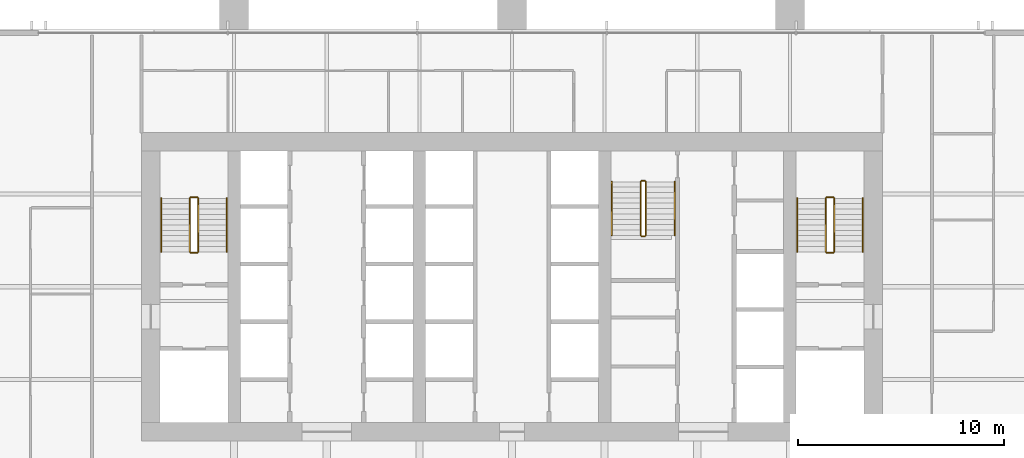
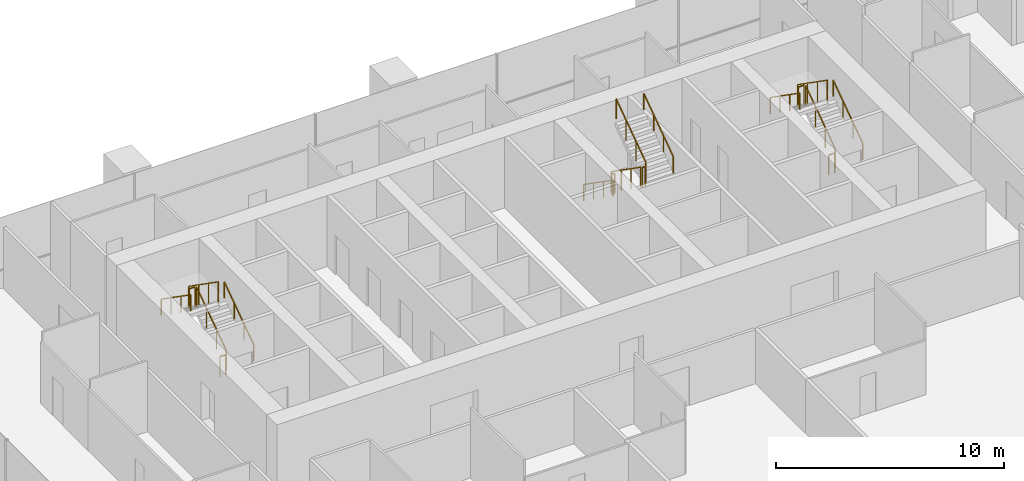
# One storey, part 15 of 15: 18 railings.
"""IFC4 building model written with IfcOpenShell, lengths in metres."""

from ifc_helpers import new_model, si_unit, direction, frame, origin, origin_2d, place, context, subcontext, project, spatial, rectangle, extrude, material, type_object, element, save


model = new_model("IFC4")

# Units and contexts
model_context = context("Model", 3, precision=1e-05, world=origin(), true_north=direction((0.0, 1.0)))
body_context = subcontext(model_context, "Body", "Model", "MODEL_VIEW")
ifc_project = project(units=[si_unit("LENGTHUNIT", "METRE"), si_unit("AREAUNIT", "SQUARE_METRE"), si_unit("VOLUMEUNIT", "CUBIC_METRE"), si_unit("PLANEANGLEUNIT", "RADIAN"), si_unit("MASSUNIT", "GRAM", prefix="KILO")], contexts=[model_context])

# Site, building, storey
site_placement = place(None, origin())
site = spatial("IfcSite", under=ifc_project, at=site_placement, CompositionType="ELEMENT")
building_placement = place(site_placement, origin())
building = spatial("IfcBuilding", under=site, at=building_placement, Name="Rattan Terrace Tower", CompositionType="ELEMENT")
storey_placement = place(building_placement, frame((0.0, 0.0, 142.10009765625)))
storey = spatial("IfcBuildingStorey", under=building, at=storey_placement, Name="L32", CompositionType="ELEMENT", Elevation=142.10009765625)

# Railings
ifc_material_1 = material(Name="Powder-coated steel guard", Category="steel")
railing_type_1 = type_object("IfcRailingType", Name="Core stair guard", PredefinedType="GUARDRAIL", material=ifc_material_1)
railing_1_placement = place(storey_placement, frame((-15.25, 1.699951171875, 0.181640625)))
element("IfcRailing", 1, at=railing_1_placement, inside=storey, type_object=railing_type_1, Name="L32 S1 stair guard 1", PredefinedType="GUARDRAIL", context=body_context, shape_type="SweptSolid", body=[
    extrude(rectangle(XDim=0.048095703125, YDim=0.048095703125, at=origin_2d()), frame((0.0, 0.0, 1.076171875), z_axis=(0.0, 0.819484887739, 0.573100792852), x_axis=(-1.0, 0.0, 0.0)), (0.0, 0.0, 1.0), 3.1728515625),
    extrude(rectangle(XDim=0.0419921875, YDim=0.0419921875, at=origin_2d()), origin(), (0.0, 0.0, 1.0), 1.052001953125),
    extrude(rectangle(XDim=0.0419921875, YDim=0.0419921875, at=origin_2d()), frame((0.0, 0.86669921875, 0.606201171875)), (0.0, 0.0, 1.0), 1.052001953125),
    extrude(rectangle(XDim=0.0419921875, YDim=0.0419921875, at=origin_2d()), frame((0.0, 1.7333984375, 1.212158203125)), (0.0, 0.0, 1.0), 1.052001953125),
    extrude(rectangle(XDim=0.0419921875, YDim=0.0419921875, at=origin_2d()), frame((0.0, 2.60009765625, 1.818359375)), (0.0, 0.0, 1.0), 1.052001953125),
])
railing_2_placement = place(storey_placement, frame((-15.300048828125, 4.35009765625, 2.0)))
element("IfcRailing", 2, at=railing_2_placement, inside=storey, type_object=railing_type_1, Name="L32 S1 stair guard 2", PredefinedType="GUARDRAIL", context=body_context, shape_type="SweptSolid", body=[
    extrude(rectangle(XDim=0.048095703125, YDim=0.048095703125, at=origin_2d()), frame((0.0, 0.0, 1.076171875), z_axis=(-1.0, 0.0, 0.0), x_axis=(0.0, -1.0, 0.0)), (0.0, 0.0, 1.0), 0.300048828125),
    extrude(rectangle(XDim=0.0419921875, YDim=0.0419921875, at=origin_2d()), origin(), (0.0, 0.0, 1.0), 1.052001953125),
    extrude(rectangle(XDim=0.0419921875, YDim=0.0419921875, at=origin_2d()), frame((-0.300048828125, 0.0, 0.0)), (0.0, 0.0, 1.0), 1.052001953125),
])
railing_3_placement = place(storey_placement, frame((-15.64990234375, 4.300048828125, 2.181640625)))
element("IfcRailing", 3, at=railing_3_placement, inside=storey, type_object=railing_type_1, Name="L32 S1 stair guard 3", PredefinedType="GUARDRAIL", context=body_context, shape_type="SweptSolid", body=[
    extrude(rectangle(XDim=0.048095703125, YDim=0.048095703125, at=origin_2d()), frame((0.0, 0.0, 1.076171875), z_axis=(0.0, -0.819484887739, 0.573100792852), x_axis=(1.0, 0.0, 0.0)), (0.0, 0.0, 1.0), 3.1728515625),
    extrude(rectangle(XDim=0.0419921875, YDim=0.0419921875, at=origin_2d()), origin(), (0.0, 0.0, 1.0), 1.052001953125),
    extrude(rectangle(XDim=0.0419921875, YDim=0.0419921875, at=origin_2d()), frame((0.0, -0.86669921875, 0.606201171875)), (0.0, 0.0, 1.0), 1.052001953125),
    extrude(rectangle(XDim=0.0419921875, YDim=0.0419921875, at=origin_2d()), frame((0.0, -1.7333984375, 1.212158203125)), (0.0, 0.0, 1.0), 1.052001953125),
    extrude(rectangle(XDim=0.0419921875, YDim=0.0419921875, at=origin_2d()), frame((0.0, -2.60009765625, 1.818359375)), (0.0, 0.0, 1.0), 1.052001953125),
])
railing_4_placement = place(storey_placement, frame((-15.300048828125, 1.64990234375, 0.0)))
element("IfcRailing", 4, at=railing_4_placement, inside=storey, type_object=railing_type_1, Name="L32 S1 stair guard 4", PredefinedType="GUARDRAIL", context=body_context, shape_type="SweptSolid", body=[
    extrude(rectangle(XDim=0.048095703125, YDim=0.048095703125, at=origin_2d()), frame((0.0, 0.0, 1.076171875), z_axis=(-1.0, 0.0, 0.0), x_axis=(0.0, -1.0, 0.0)), (0.0, 0.0, 1.0), 0.300048828125),
    extrude(rectangle(XDim=0.0419921875, YDim=0.0419921875, at=origin_2d()), origin(), (0.0, 0.0, 1.0), 1.052001953125),
    extrude(rectangle(XDim=0.0419921875, YDim=0.0419921875, at=origin_2d()), frame((-0.300048828125, 0.0, 0.0)), (0.0, 0.0, 1.0), 1.052001953125),
])
railing_5_placement = place(storey_placement, frame((15.64990234375, 1.699951171875, 0.181640625)))
element("IfcRailing", 5, at=railing_5_placement, inside=storey, type_object=railing_type_1, Name="L32 S2 stair guard 1", PredefinedType="GUARDRAIL", context=body_context, shape_type="SweptSolid", body=[
    extrude(rectangle(XDim=0.048095703125, YDim=0.048095703125, at=origin_2d()), frame((0.0, 0.0, 1.076171875), z_axis=(0.0, 0.819484887739, 0.573100792852), x_axis=(-1.0, 0.0, 0.0)), (0.0, 0.0, 1.0), 3.1728515625),
    extrude(rectangle(XDim=0.0419921875, YDim=0.0419921875, at=origin_2d()), origin(), (0.0, 0.0, 1.0), 1.052001953125),
    extrude(rectangle(XDim=0.0419921875, YDim=0.0419921875, at=origin_2d()), frame((0.0, 0.86669921875, 0.606201171875)), (0.0, 0.0, 1.0), 1.052001953125),
    extrude(rectangle(XDim=0.0419921875, YDim=0.0419921875, at=origin_2d()), frame((0.0, 1.7333984375, 1.212158203125)), (0.0, 0.0, 1.0), 1.052001953125),
    extrude(rectangle(XDim=0.0419921875, YDim=0.0419921875, at=origin_2d()), frame((0.0, 2.60009765625, 1.818359375)), (0.0, 0.0, 1.0), 1.052001953125),
])
railing_6_placement = place(storey_placement, frame((15.60009765625, 4.35009765625, 2.0)))
element("IfcRailing", 6, at=railing_6_placement, inside=storey, type_object=railing_type_1, Name="L32 S2 stair guard 2", PredefinedType="GUARDRAIL", context=body_context, shape_type="SweptSolid", body=[
    extrude(rectangle(XDim=0.048095703125, YDim=0.048095703125, at=origin_2d()), frame((0.0, 0.0, 1.076171875), z_axis=(-1.0, 0.0, 0.0), x_axis=(0.0, -1.0, 0.0)), (0.0, 0.0, 1.0), 0.300048828125),
    extrude(rectangle(XDim=0.0419921875, YDim=0.0419921875, at=origin_2d()), origin(), (0.0, 0.0, 1.0), 1.052001953125),
    extrude(rectangle(XDim=0.0419921875, YDim=0.0419921875, at=origin_2d()), frame((-0.300048828125, 0.0, 0.0)), (0.0, 0.0, 1.0), 1.052001953125),
])
railing_7_placement = place(storey_placement, frame((15.25, 4.300048828125, 2.181640625)))
element("IfcRailing", 7, at=railing_7_placement, inside=storey, type_object=railing_type_1, Name="L32 S2 stair guard 3", PredefinedType="GUARDRAIL", context=body_context, shape_type="SweptSolid", body=[
    extrude(rectangle(XDim=0.048095703125, YDim=0.048095703125, at=origin_2d()), frame((0.0, 0.0, 1.076171875), z_axis=(0.0, -0.819484887739, 0.573100792852), x_axis=(1.0, 0.0, 0.0)), (0.0, 0.0, 1.0), 3.1728515625),
    extrude(rectangle(XDim=0.0419921875, YDim=0.0419921875, at=origin_2d()), origin(), (0.0, 0.0, 1.0), 1.052001953125),
    extrude(rectangle(XDim=0.0419921875, YDim=0.0419921875, at=origin_2d()), frame((0.0, -0.86669921875, 0.606201171875)), (0.0, 0.0, 1.0), 1.052001953125),
    extrude(rectangle(XDim=0.0419921875, YDim=0.0419921875, at=origin_2d()), frame((0.0, -1.7333984375, 1.212158203125)), (0.0, 0.0, 1.0), 1.052001953125),
    extrude(rectangle(XDim=0.0419921875, YDim=0.0419921875, at=origin_2d()), frame((0.0, -2.60009765625, 1.818359375)), (0.0, 0.0, 1.0), 1.052001953125),
])
railing_8_placement = place(storey_placement, frame((15.60009765625, 1.64990234375, 0.0)))
element("IfcRailing", 8, at=railing_8_placement, inside=storey, type_object=railing_type_1, Name="L32 S2 stair guard 4", PredefinedType="GUARDRAIL", context=body_context, shape_type="SweptSolid", body=[
    extrude(rectangle(XDim=0.048095703125, YDim=0.048095703125, at=origin_2d()), frame((0.0, 0.0, 1.076171875), z_axis=(-1.0, 0.0, 0.0), x_axis=(0.0, -1.0, 0.0)), (0.0, 0.0, 1.0), 0.300048828125),
    extrude(rectangle(XDim=0.0419921875, YDim=0.0419921875, at=origin_2d()), origin(), (0.0, 0.0, 1.0), 1.052001953125),
    extrude(rectangle(XDim=0.0419921875, YDim=0.0419921875, at=origin_2d()), frame((-0.300048828125, 0.0, 0.0)), (0.0, 0.0, 1.0), 1.052001953125),
])
railing_9_placement = place(storey_placement, frame((6.25, 5.10009765625, 0.181640625)))
element("IfcRailing", 9, at=railing_9_placement, inside=storey, type_object=railing_type_1, Name="L32 S3 stair guard 1", PredefinedType="GUARDRAIL", context=body_context, shape_type="SweptSolid", body=[
    extrude(rectangle(XDim=0.048095703125, YDim=0.048095703125, at=origin_2d()), frame((0.0, 0.0, 1.076171875), z_axis=(0.0, -0.819484887739, 0.573100792852), x_axis=(1.0, 0.0, 0.0)), (0.0, 0.0, 1.0), 3.1728515625),
    extrude(rectangle(XDim=0.0419921875, YDim=0.0419921875, at=origin_2d()), origin(), (0.0, 0.0, 1.0), 1.052001953125),
    extrude(rectangle(XDim=0.0419921875, YDim=0.0419921875, at=origin_2d()), frame((0.0, -0.86669921875, 0.606201171875)), (0.0, 0.0, 1.0), 1.052001953125),
    extrude(rectangle(XDim=0.0419921875, YDim=0.0419921875, at=origin_2d()), frame((0.0, -1.7333984375, 1.212158203125)), (0.0, 0.0, 1.0), 1.052001953125),
    extrude(rectangle(XDim=0.0419921875, YDim=0.0419921875, at=origin_2d()), frame((0.0, -2.60009765625, 1.818359375)), (0.0, 0.0, 1.0), 1.052001953125),
])
railing_10_placement = place(storey_placement, frame((6.300048828125, 2.449951171875, 2.0)))
element("IfcRailing", 10, at=railing_10_placement, inside=storey, type_object=railing_type_1, Name="L32 S3 stair guard 2", PredefinedType="GUARDRAIL", context=body_context, shape_type="SweptSolid", body=[
    extrude(rectangle(XDim=0.048095703125, YDim=0.048095703125, at=origin_2d()), frame((0.0, 0.0, 1.076171875), z_axis=(1.0, 0.0, 0.0), x_axis=(0.0, 1.0, 0.0)), (0.0, 0.0, 1.0), 0.14990234375),
    extrude(rectangle(XDim=0.0419921875, YDim=0.0419921875, at=origin_2d()), origin(), (0.0, 0.0, 1.0), 1.052001953125),
    extrude(rectangle(XDim=0.0419921875, YDim=0.0419921875, at=origin_2d()), frame((0.14990234375, 0.0, 0.0)), (0.0, 0.0, 1.0), 1.052001953125),
])
railing_11_placement = place(storey_placement, frame((6.5, 2.5, 2.181640625)))
element("IfcRailing", 11, at=railing_11_placement, inside=storey, type_object=railing_type_1, Name="L32 S3 stair guard 3", PredefinedType="GUARDRAIL", context=body_context, shape_type="SweptSolid", body=[
    extrude(rectangle(XDim=0.048095703125, YDim=0.048095703125, at=origin_2d()), frame((0.0, 0.0, 1.076171875), z_axis=(0.0, 0.819484887739, 0.573100792852), x_axis=(-1.0, 0.0, 0.0)), (0.0, 0.0, 1.0), 3.1728515625),
    extrude(rectangle(XDim=0.0419921875, YDim=0.0419921875, at=origin_2d()), origin(), (0.0, 0.0, 1.0), 1.052001953125),
    extrude(rectangle(XDim=0.0419921875, YDim=0.0419921875, at=origin_2d()), frame((0.0, 0.86669921875, 0.606201171875)), (0.0, 0.0, 1.0), 1.052001953125),
    extrude(rectangle(XDim=0.0419921875, YDim=0.0419921875, at=origin_2d()), frame((0.0, 1.7333984375, 1.212158203125)), (0.0, 0.0, 1.0), 1.052001953125),
    extrude(rectangle(XDim=0.0419921875, YDim=0.0419921875, at=origin_2d()), frame((0.0, 2.60009765625, 1.818359375)), (0.0, 0.0, 1.0), 1.052001953125),
])
railing_12_placement = place(storey_placement, frame((6.300048828125, 5.14990234375, 0.0)))
element("IfcRailing", 12, at=railing_12_placement, inside=storey, type_object=railing_type_1, Name="L32 S3 stair guard 4", PredefinedType="GUARDRAIL", context=body_context, shape_type="SweptSolid", body=[
    extrude(rectangle(XDim=0.048095703125, YDim=0.048095703125, at=origin_2d()), frame((0.0, 0.0, 1.076171875), z_axis=(1.0, 0.0, 0.0), x_axis=(0.0, 1.0, 0.0)), (0.0, 0.0, 1.0), 0.14990234375),
    extrude(rectangle(XDim=0.0419921875, YDim=0.0419921875, at=origin_2d()), origin(), (0.0, 0.0, 1.0), 1.052001953125),
    extrude(rectangle(XDim=0.0419921875, YDim=0.0419921875, at=origin_2d()), frame((0.14990234375, 0.0, 0.0)), (0.0, 0.0, 1.0), 1.052001953125),
])
ifc_material_2 = material(Name="Powder-coated steel handrail", Category="steel")
railing_type_2 = type_object("IfcRailingType", Name="Core stair handrail", PredefinedType="HANDRAIL", material=ifc_material_2)
railing_13_placement = place(storey_placement, frame((-13.85009765625, 1.699951171875, 0.181640625)))
element("IfcRailing", 13, at=railing_13_placement, inside=storey, type_object=railing_type_2, Name="L32 S1 stair handrail 1", PredefinedType="HANDRAIL", context=body_context, shape_type="SweptSolid", body=[
    extrude(rectangle(XDim=0.048095703125, YDim=0.048095703125, at=origin_2d()), frame((0.0, 0.0, 0.8759765625), z_axis=(0.0, 0.819484887739, 0.573100792852), x_axis=(-1.0, 0.0, 0.0)), (0.0, 0.0, 1.0), 3.1728515625),
    extrude(rectangle(XDim=0.0419921875, YDim=0.0419921875, at=origin_2d()), origin(), (0.0, 0.0, 1.0), 0.851806640625),
    extrude(rectangle(XDim=0.0419921875, YDim=0.0419921875, at=origin_2d()), frame((0.0, 0.86669921875, 0.606201171875)), (0.0, 0.0, 1.0), 0.851806640625),
    extrude(rectangle(XDim=0.0419921875, YDim=0.0419921875, at=origin_2d()), frame((0.0, 1.7333984375, 1.212158203125)), (0.0, 0.0, 1.0), 0.851806640625),
    extrude(rectangle(XDim=0.0419921875, YDim=0.0419921875, at=origin_2d()), frame((0.0, 2.60009765625, 1.818359375)), (0.0, 0.0, 1.0), 0.851806640625),
])
railing_14_placement = place(storey_placement, frame((-17.050048828125, 4.300048828125, 2.181640625)))
element("IfcRailing", 14, at=railing_14_placement, inside=storey, type_object=railing_type_2, Name="L32 S1 stair handrail 2", PredefinedType="HANDRAIL", context=body_context, shape_type="SweptSolid", body=[
    extrude(rectangle(XDim=0.048095703125, YDim=0.048095703125, at=origin_2d()), frame((0.0, 0.0, 0.8759765625), z_axis=(0.0, -0.819484887739, 0.573100792852), x_axis=(1.0, 0.0, 0.0)), (0.0, 0.0, 1.0), 3.1728515625),
    extrude(rectangle(XDim=0.0419921875, YDim=0.0419921875, at=origin_2d()), origin(), (0.0, 0.0, 1.0), 0.851806640625),
    extrude(rectangle(XDim=0.0419921875, YDim=0.0419921875, at=origin_2d()), frame((0.0, -0.86669921875, 0.606201171875)), (0.0, 0.0, 1.0), 0.851806640625),
    extrude(rectangle(XDim=0.0419921875, YDim=0.0419921875, at=origin_2d()), frame((0.0, -1.7333984375, 1.212158203125)), (0.0, 0.0, 1.0), 0.851806640625),
    extrude(rectangle(XDim=0.0419921875, YDim=0.0419921875, at=origin_2d()), frame((0.0, -2.60009765625, 1.818359375)), (0.0, 0.0, 1.0), 0.851806640625),
])
railing_15_placement = place(storey_placement, frame((17.050048828125, 1.699951171875, 0.181640625)))
element("IfcRailing", 15, at=railing_15_placement, inside=storey, type_object=railing_type_2, Name="L32 S2 stair handrail 1", PredefinedType="HANDRAIL", context=body_context, shape_type="SweptSolid", body=[
    extrude(rectangle(XDim=0.048095703125, YDim=0.048095703125, at=origin_2d()), frame((0.0, 0.0, 0.8759765625), z_axis=(0.0, 0.819484887739, 0.573100792852), x_axis=(-1.0, 0.0, 0.0)), (0.0, 0.0, 1.0), 3.1728515625),
    extrude(rectangle(XDim=0.0419921875, YDim=0.0419921875, at=origin_2d()), origin(), (0.0, 0.0, 1.0), 0.851806640625),
    extrude(rectangle(XDim=0.0419921875, YDim=0.0419921875, at=origin_2d()), frame((0.0, 0.86669921875, 0.606201171875)), (0.0, 0.0, 1.0), 0.851806640625),
    extrude(rectangle(XDim=0.0419921875, YDim=0.0419921875, at=origin_2d()), frame((0.0, 1.7333984375, 1.212158203125)), (0.0, 0.0, 1.0), 0.851806640625),
    extrude(rectangle(XDim=0.0419921875, YDim=0.0419921875, at=origin_2d()), frame((0.0, 2.60009765625, 1.818359375)), (0.0, 0.0, 1.0), 0.851806640625),
])
for number, where, name in (
    (16, (13.85009765625, 4.300048828125, 2.181640625), "L32 S2 stair handrail 2"),
    (17, (4.85009765625, 5.10009765625, 0.181640625), "L32 S3 stair handrail 1"),
):
    element("IfcRailing", number, at=place(storey_placement, frame(where)), inside=storey, type_object=railing_type_2, Name=name, PredefinedType="HANDRAIL", context=body_context, shape_type="SweptSolid", body=[
        extrude(rectangle(XDim=0.048095703125, YDim=0.048095703125, at=origin_2d()), frame((0.0, 0.0, 0.8759765625), z_axis=(0.0, -0.819484887739, 0.573100792852), x_axis=(1.0, 0.0, 0.0)), (0.0, 0.0, 1.0), 3.1728515625),
        extrude(rectangle(XDim=0.0419921875, YDim=0.0419921875, at=origin_2d()), origin(), (0.0, 0.0, 1.0), 0.851806640625),
        extrude(rectangle(XDim=0.0419921875, YDim=0.0419921875, at=origin_2d()), frame((0.0, -0.86669921875, 0.606201171875)), (0.0, 0.0, 1.0), 0.851806640625),
        extrude(rectangle(XDim=0.0419921875, YDim=0.0419921875, at=origin_2d()), frame((0.0, -1.7333984375, 1.212158203125)), (0.0, 0.0, 1.0), 0.851806640625),
        extrude(rectangle(XDim=0.0419921875, YDim=0.0419921875, at=origin_2d()), frame((0.0, -2.60009765625, 1.818359375)), (0.0, 0.0, 1.0), 0.851806640625),
    ])
railing_16_placement = place(storey_placement, frame((7.89990234375, 2.5, 2.181640625)))
element("IfcRailing", 18, at=railing_16_placement, inside=storey, type_object=railing_type_2, Name="L32 S3 stair handrail 2", PredefinedType="HANDRAIL", context=body_context, shape_type="SweptSolid", body=[
    extrude(rectangle(XDim=0.048095703125, YDim=0.048095703125, at=origin_2d()), frame((0.0, 0.0, 0.8759765625), z_axis=(0.0, 0.819484887739, 0.573100792852), x_axis=(-1.0, 0.0, 0.0)), (0.0, 0.0, 1.0), 3.1728515625),
    extrude(rectangle(XDim=0.0419921875, YDim=0.0419921875, at=origin_2d()), origin(), (0.0, 0.0, 1.0), 0.851806640625),
    extrude(rectangle(XDim=0.0419921875, YDim=0.0419921875, at=origin_2d()), frame((0.0, 0.86669921875, 0.606201171875)), (0.0, 0.0, 1.0), 0.851806640625),
    extrude(rectangle(XDim=0.0419921875, YDim=0.0419921875, at=origin_2d()), frame((0.0, 1.7333984375, 1.212158203125)), (0.0, 0.0, 1.0), 0.851806640625),
    extrude(rectangle(XDim=0.0419921875, YDim=0.0419921875, at=origin_2d()), frame((0.0, 2.60009765625, 1.818359375)), (0.0, 0.0, 1.0), 0.851806640625),
])

save(model, "model.ifc")
